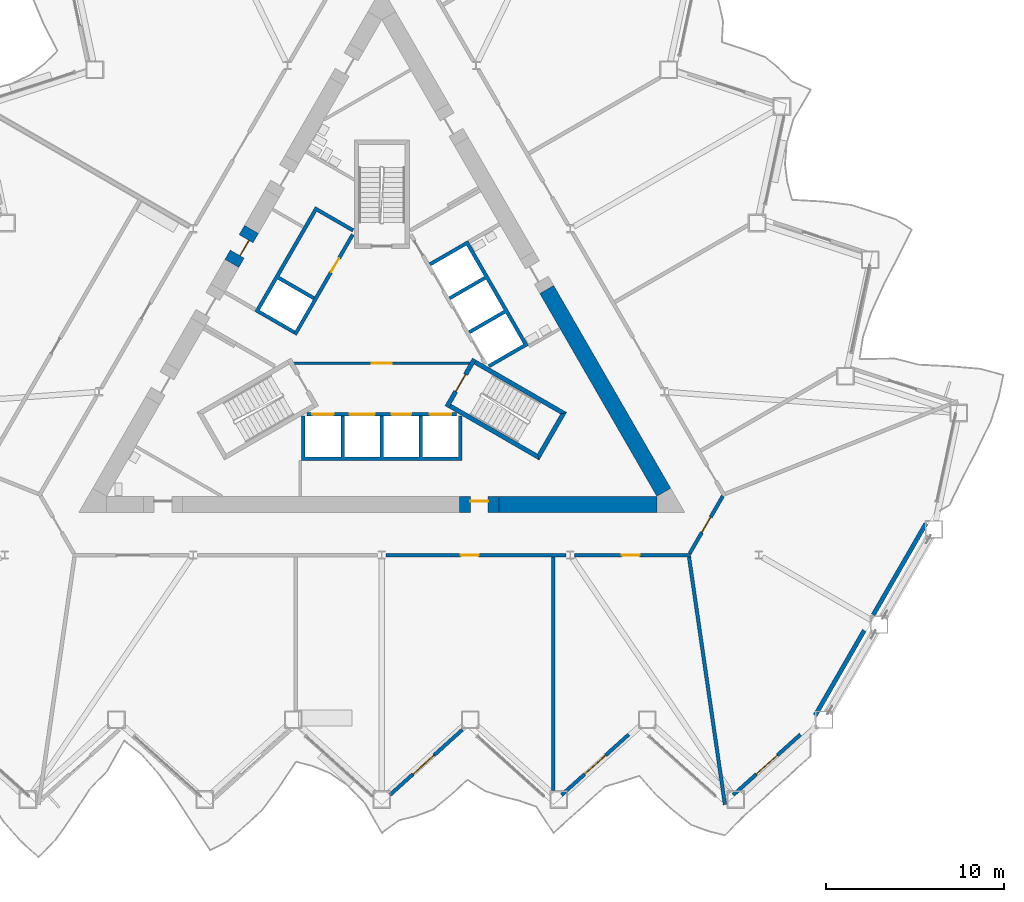
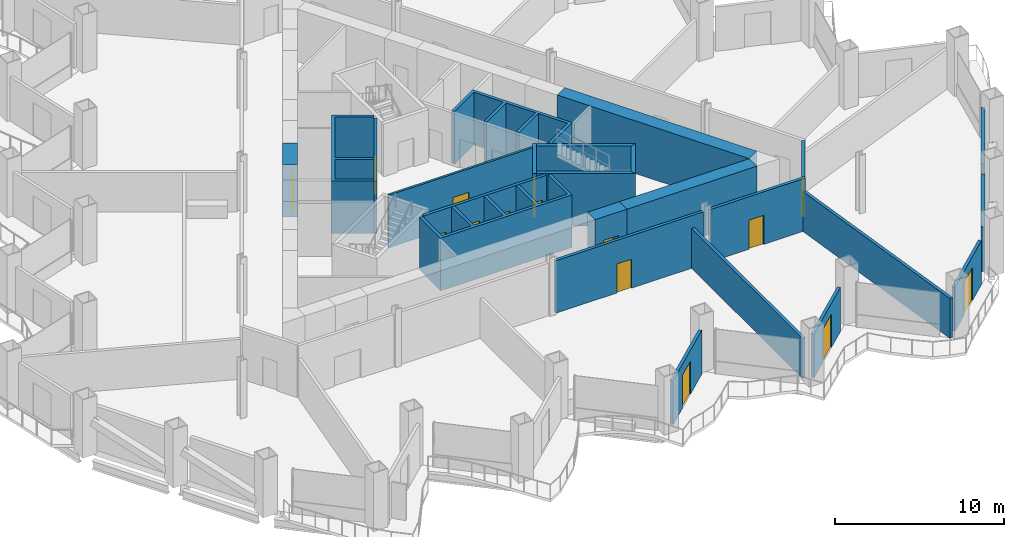
# One storey, part 10 of 20: 24 walls, 15 doors, 15 openings.
"""IFC4 building model written with IfcOpenShell, lengths in metres."""

from ifc_helpers import new_model, si_unit, direction, frame, frame_2d, origin, place, context, subcontext, project, spatial, polyline, rectangle, outline, extrude, material, layer, layer_set, type_object, element, fill, save


model = new_model("IFC4")

# Units and contexts
model_context = context("Model", 3, precision=1e-05, world=origin(), true_north=direction((0.0, 1.0)))
body_context = subcontext(model_context, "Body", "Model", "MODEL_VIEW")
ifc_project = project(units=[si_unit("LENGTHUNIT", "METRE"), si_unit("AREAUNIT", "SQUARE_METRE"), si_unit("VOLUMEUNIT", "CUBIC_METRE"), si_unit("PLANEANGLEUNIT", "RADIAN"), si_unit("MASSUNIT", "GRAM", prefix="KILO")], contexts=[model_context])

# Site, building, storey
site_placement = place(None, origin())
site = spatial("IfcSite", under=ifc_project, at=site_placement, CompositionType="ELEMENT")
building_placement = place(site_placement, origin())
building = spatial("IfcBuilding", under=site, at=building_placement, Name="Cormorant Prow Tower", CompositionType="ELEMENT")
storey_placement = place(building_placement, frame((0.0, 0.0, 34.199951171875)))
storey = spatial("IfcBuildingStorey", under=building, at=storey_placement, Name="L06", CompositionType="ELEMENT", Elevation=34.199951171875)

# Wall, opening, door
ifc_material_1 = material(Name="Gypsum board partition")
ifc_layer_1 = layer(ifc_material_1, 0.14990234375)
ifc_layer_set_1 = layer_set([ifc_layer_1], Name="Gypsum board partition")
wall_type_1 = type_object("IfcWallType", Name="Core partition 150", PredefinedType="PARTITIONING", material=ifc_layer_set_1)
wall_1_placement = place(storey_placement, frame((-4.941162109375, -1.449951171875, 0.0), z_axis=(0.0, 0.0, 1.0), x_axis=(1.0, 0.0, 0.0)))
wall_1 = element("IfcWall", 1, at=wall_1_placement, inside=storey, type_object=wall_type_1, Name="Firefighting lobby partition", PredefinedType="PARTITIONING", context=body_context, shape_type="SweptSolid", body=[
    extrude(rectangle(XDim=9.88232421875, YDim=0.14990234375, at=frame_2d((4.941162109375, 0.0))), origin(), (0.0, 0.0, 1.0), 3.800048828125),
])
opening_1_placement = place(wall_1_placement, frame((4.39111328125, 0.0, 0.0)))
opening_1 = element("IfcOpeningElement", 2, at=opening_1_placement, cuts=wall_1, Name="Opening L06-C10", PredefinedType="OPENING", context=body_context, shape_type="SweptSolid", body=[
    extrude(rectangle(XDim=1.10009765625, YDim=2.10009765625, at=frame_2d((0.550048828125, 1.050048828125))), frame((0.0, 0.0849609375, 0.0), z_axis=(0.0, -1.0, 0.0), x_axis=(1.0, 0.0, 0.0)), (0.0, 0.0, 1.0), 0.169921875),
])
ifc_material_2 = material(Name="Painted steel", Category="steel")
door_type_1 = type_object("IfcDoorType", Name="Firefighting lobby door 1100x2100", OperationType="NOTDEFINED", PredefinedType="DOOR", material=ifc_material_2)
door_1_placement = place(opening_1_placement, origin())
door_1 = element("IfcDoor", 3, at=door_1_placement, inside=storey, type_object=door_type_1, Name="Firefighting lobby door", OperationType="SINGLE_SWING_LEFT", OverallHeight=2.10009765625, OverallWidth=1.10009765625, PredefinedType="DOOR", context=body_context, shape_type="SweptSolid", body=[
    extrude(rectangle(XDim=1.10009765625, YDim=2.10009765625, at=frame_2d((0.550048828125, 1.050048828125))), frame((0.0, 0.02490234375, 0.0), z_axis=(0.0, -1.0, 0.0), x_axis=(1.0, 0.0, 0.0)), (0.0, 0.0, 1.0), 0.050048828125),
])
fill(opening_1, door_1)

# Walls
ifc_material_3 = material(Name="Concrete 8000 psi", Category="concrete")
ifc_layer_2 = layer(ifc_material_3, 0.89990234375)
ifc_layer_set_2 = layer_set([ifc_layer_2], Name="Concrete 8000 psi")
wall_type_2 = type_object("IfcWallType", Name="Core shear wall 900", PredefinedType="SHEAR", material=ifc_layer_set_2)
wall_2_placement = place(storey_placement, frame((6.570556640625, -9.364990234375, 0.0), z_axis=(0.0, 0.0, 1.0), x_axis=(1.0, 0.0, 0.0)))
element("IfcWall", 4, at=wall_2_placement, inside=storey, type_object=wall_type_2, Name="Core wall", PredefinedType="SHEAR", context=body_context, shape_type="SweptSolid", body=[
    extrude(rectangle(XDim=8.87060546875, YDim=0.89990234375, at=frame_2d((4.435302734375, 0.0))), origin(), (0.0, 0.0, 1.0), 3.800048828125),
])
wall_3_placement = place(storey_placement, frame((15.830810546875, -8.68994140625, 0.0), z_axis=(0.0, 0.0, 1.0), x_axis=(-0.499997452939, 0.866026874326, 0.0)))
element("IfcWall", 5, at=wall_3_placement, inside=storey, type_object=wall_type_2, Name="Core wall", PredefinedType="SHEAR", context=body_context, shape_type="SweptSolid", body=[
    extrude(rectangle(XDim=13.14111328125, YDim=0.89990234375, at=frame_2d((6.570556640625, 0.0))), origin(), (0.0, 0.0, 1.0), 3.800048828125),
])

# Wall, opening, door
wall_4_placement = place(storey_placement, frame((4.37060546875, -9.364990234375, 0.0), z_axis=(0.0, 0.0, 1.0), x_axis=(1.0, 0.0, 0.0)))
wall_4 = element("IfcWall", 6, at=wall_4_placement, inside=storey, type_object=wall_type_2, Name="Core wall door panel", PredefinedType="SHEAR", context=body_context, shape_type="SweptSolid", body=[
    extrude(rectangle(XDim=2.199951171875, YDim=0.89990234375, at=frame_2d((1.10009765625, 0.0))), origin(), (0.0, 0.0, 1.0), 3.800048828125),
])
opening_2_placement = place(wall_4_placement, frame((0.60009765625, 0.0, 0.0)))
opening_2 = element("IfcOpeningElement", 7, at=opening_2_placement, cuts=wall_4, Name="Opening L06-C15", PredefinedType="OPENING", context=body_context, shape_type="SweptSolid", body=[
    extrude(rectangle(XDim=1.0, YDim=2.10009765625, at=frame_2d((0.5, 1.050048828125))), frame((0.0, 0.4599609375, 0.0), z_axis=(0.0, -1.0, 0.0), x_axis=(1.0, 0.0, 0.0)), (0.0, 0.0, 1.0), 0.919921875),
])
ifc_material_4 = material(Name="Painted steel", Category="steel")
door_type_2 = type_object("IfcDoorType", Name="Service door 1000x2100", OperationType="NOTDEFINED", PredefinedType="DOOR", material=ifc_material_4)
door_2_placement = place(opening_2_placement, origin())
door_2 = element("IfcDoor", 8, at=door_2_placement, inside=storey, type_object=door_type_2, Name="Core door, Electrical room", OperationType="SINGLE_SWING_RIGHT", OverallHeight=2.10009765625, OverallWidth=1.0, PredefinedType="DOOR", context=body_context, shape_type="SweptSolid", body=[
    extrude(rectangle(XDim=1.0, YDim=2.10009765625, at=frame_2d((0.5, 1.050048828125))), frame((0.0, 0.205078125, 0.0), z_axis=(0.0, -1.0, 0.0), x_axis=(1.0, 0.0, 0.0)), (0.0, 0.0, 1.0), 0.050048828125),
])
fill(opening_2, door_2)

wall_5_placement = place(storey_placement, frame((-7.3134765625, 6.0625, 0.0), z_axis=(0.0, 0.0, 1.0), x_axis=(-0.500077893725, -0.86598042715, 0.0)))
wall_5 = element("IfcWall", 9, at=wall_5_placement, inside=storey, type_object=wall_type_2, Name="Core wall door panel", PredefinedType="SHEAR", context=body_context, shape_type="SweptSolid", body=[
    extrude(rectangle(XDim=2.199951171875, YDim=0.89990234375, at=frame_2d((1.10009765625, 0.0))), origin(), (0.0, 0.0, 1.0), 3.800048828125),
])
opening_3_placement = place(wall_5_placement, frame((0.60009765625, 0.0, 0.0)))
opening_3 = element("IfcOpeningElement", 10, at=opening_3_placement, cuts=wall_5, Name="Opening L06-C18", PredefinedType="OPENING", context=body_context, shape_type="SweptSolid", body=[
    extrude(rectangle(XDim=1.0, YDim=2.10009765625, at=frame_2d((0.5, 1.050048828125))), frame((0.0, 0.4599609375, 0.0), z_axis=(0.0, -1.0, 0.0), x_axis=(1.0, 0.0, 0.0)), (0.0, 0.0, 1.0), 0.919921875),
])
door_3_placement = place(opening_3_placement, origin())
door_3 = element("IfcDoor", 11, at=door_3_placement, inside=storey, type_object=door_type_2, Name="Core door, Housekeeping store", OperationType="SINGLE_SWING_LEFT", OverallHeight=2.10009765625, OverallWidth=1.0, PredefinedType="DOOR", context=body_context, shape_type="SweptSolid", body=[
    extrude(rectangle(XDim=1.0, YDim=2.10009765625, at=frame_2d((0.5, 1.050048828125))), frame((0.0, 0.205078125, 0.0), z_axis=(0.0, -1.0, 0.0), x_axis=(1.0, 0.0, 0.0)), (0.0, 0.0, 1.0), 0.050048828125),
])
fill(opening_3, door_3)

ifc_material_5 = material(Name="Gypsum board corridor wall")
ifc_layer_3 = layer(ifc_material_5, 0.199951171875)
ifc_layer_set_3 = layer_set([ifc_layer_3], Name="Gypsum board corridor wall")
wall_type_3 = type_object("IfcWallType", Name="Corridor wall 200", PredefinedType="PARTITIONING", material=ifc_layer_set_3)
wall_6_placement = place(storey_placement, frame((0.2421875, -12.215087890625, 0.0), z_axis=(0.0, 0.0, 1.0), x_axis=(1.0, 0.0, 0.0)))
wall_6 = element("IfcWall", 12, at=wall_6_placement, inside=storey, type_object=wall_type_3, Name="Corridor wall", PredefinedType="PARTITIONING", context=body_context, shape_type="SweptSolid", body=[
    extrude(rectangle(XDim=10.093994140625, YDim=0.199951171875, at=frame_2d((5.046875, 0.0))), origin(), (0.0, 0.0, 1.0), 3.800048828125),
])
opening_4_placement = place(wall_6_placement, frame((4.193115234375, 0.0, 0.0)))
opening_4 = element("IfcOpeningElement", 13, at=opening_4_placement, cuts=wall_6, Name="Opening L06-F02", PredefinedType="OPENING", context=body_context, shape_type="SweptSolid", body=[
    extrude(rectangle(XDim=1.0, YDim=2.10009765625, at=frame_2d((0.5, 1.050048828125))), frame((0.0, 0.10986328125, 0.0), z_axis=(0.0, -1.0, 0.0), x_axis=(1.0, 0.0, 0.0)), (0.0, 0.0, 1.0), 0.219970703125),
])
ifc_material_6 = material(Name="Timber door leaf", Category="wood")
door_type_3 = type_object("IfcDoorType", Name="Office door 1000x2100", OperationType="NOTDEFINED", PredefinedType="DOOR", material=ifc_material_6)
door_4_placement = place(opening_4_placement, origin())
door_4 = element("IfcDoor", 14, at=door_4_placement, inside=storey, type_object=door_type_3, Name="Tenant reception door", OperationType="SINGLE_SWING_RIGHT", OverallHeight=2.10009765625, OverallWidth=1.0, PredefinedType="DOOR", context=body_context, shape_type="SweptSolid", body=[
    extrude(rectangle(XDim=1.0, YDim=2.10009765625, at=frame_2d((0.5, 1.050048828125))), frame((0.0, 0.02490234375, 0.0), z_axis=(0.0, -1.0, 0.0), x_axis=(1.0, 0.0, 0.0)), (0.0, 0.0, 1.0), 0.050048828125),
])
fill(opening_4, door_4)

wall_7_placement = place(storey_placement, frame((10.82080078125, -12.215087890625, 0.0), z_axis=(0.0, 0.0, 1.0), x_axis=(1.0, 0.0, 0.0)))
wall_7 = element("IfcWall", 15, at=wall_7_placement, inside=storey, type_object=wall_type_3, Name="Corridor wall", PredefinedType="PARTITIONING", context=body_context, shape_type="SweptSolid", body=[
    extrude(rectangle(XDim=6.510009765625, YDim=0.199951171875, at=frame_2d((3.2548828125, 0.0))), origin(), (0.0, 0.0, 1.0), 3.800048828125),
])
opening_5_placement = place(wall_7_placement, frame((2.65478515625, 0.0, 0.0)))
opening_5 = element("IfcOpeningElement", 16, at=opening_5_placement, cuts=wall_7, Name="Opening L06-F03", PredefinedType="OPENING", context=body_context, shape_type="SweptSolid", body=[
    extrude(rectangle(XDim=1.0, YDim=2.10009765625, at=frame_2d((0.5, 1.050048828125))), frame((0.0, 0.10986328125, 0.0), z_axis=(0.0, -1.0, 0.0), x_axis=(1.0, 0.0, 0.0)), (0.0, 0.0, 1.0), 0.219970703125),
])
door_5_placement = place(opening_5_placement, origin())
door_5 = element("IfcDoor", 17, at=door_5_placement, inside=storey, type_object=door_type_3, Name="Tenant suite door", OperationType="SINGLE_SWING_RIGHT", OverallHeight=2.10009765625, OverallWidth=1.0, PredefinedType="DOOR", context=body_context, shape_type="SweptSolid", body=[
    extrude(rectangle(XDim=1.0, YDim=2.10009765625, at=frame_2d((0.5, 1.050048828125))), frame((0.0, 0.02490234375, 0.0), z_axis=(0.0, -1.0, 0.0), x_axis=(1.0, 0.0, 0.0)), (0.0, 0.0, 1.0), 0.050048828125),
])
fill(opening_5, door_5)

wall_8_placement = place(storey_placement, frame((17.281005859375, -12.12841796875, 0.0), z_axis=(0.0, 0.0, 1.0), x_axis=(0.499958791762, 0.866049194065, 0.0)))
wall_8 = element("IfcWall", 18, at=wall_8_placement, inside=storey, type_object=wall_type_3, Name="Corridor wall", PredefinedType="PARTITIONING", context=body_context, shape_type="SweptSolid", body=[
    extrude(rectangle(XDim=3.725830078125, YDim=0.199951171875, at=frame_2d((1.86279296875, 0.0))), origin(), (0.0, 0.0, 1.0), 3.800048828125),
])
opening_6_placement = place(wall_8_placement, frame((1.363037109375, 0.0, 0.0)))
opening_6 = element("IfcOpeningElement", 19, at=opening_6_placement, cuts=wall_8, Name="Opening L06-F04", PredefinedType="OPENING", context=body_context, shape_type="SweptSolid", body=[
    extrude(rectangle(XDim=1.0, YDim=2.10009765625, at=frame_2d((0.5, 1.050048828125))), frame((0.0, 0.10986328125, 0.0), z_axis=(0.0, -1.0, 0.0), x_axis=(1.0, 0.0, 0.0)), (0.0, 0.0, 1.0), 0.219970703125),
])
door_6_placement = place(opening_6_placement, origin())
door_6 = element("IfcDoor", 20, at=door_6_placement, inside=storey, type_object=door_type_3, Name="Tenant suite door", OperationType="SINGLE_SWING_LEFT", OverallHeight=2.10009765625, OverallWidth=1.0, PredefinedType="DOOR", context=body_context, shape_type="SweptSolid", body=[
    extrude(rectangle(XDim=1.0, YDim=2.10009765625, at=frame_2d((0.5, 1.050048828125))), frame((0.0, 0.02490234375, 0.0), z_axis=(0.0, -1.0, 0.0), x_axis=(1.0, 0.0, 0.0)), (0.0, 0.0, 1.0), 0.050048828125),
])
fill(opening_6, door_6)

# Walls
ifc_material_7 = material(Name="Gypsum board demising wall")
ifc_layer_4 = layer(ifc_material_7, 0.199951171875)
ifc_layer_set_4 = layer_set([ifc_layer_4], Name="Gypsum board demising wall")
wall_type_4 = type_object("IfcWallType", Name="Demising wall 200", PredefinedType="PARTITIONING", material=ifc_layer_set_4)
wall_9_placement = place(storey_placement, frame((17.245361328125, -12.31396484375, 0.0), z_axis=(0.0, 0.0, 1.0), x_axis=(0.143525263071, -0.989646653539, 0.0)))
element("IfcWall", 21, at=wall_9_placement, inside=storey, type_object=wall_type_4, Name="Demising wall", PredefinedType="PARTITIONING", context=body_context, shape_type="SweptSolid", body=[
    extrude(rectangle(XDim=14.050537109375, YDim=0.199951171875, at=frame_2d((7.025390625, 0.0))), origin(), (0.0, 0.0, 1.0), 2.88525390625),
])
wall_10_placement = place(storey_placement, frame((9.635009765625, -25.42138671875, 0.0), z_axis=(0.0, 0.0, 1.0), x_axis=(0.0, 1.0, 0.0)))
element("IfcWall", 22, at=wall_10_placement, inside=storey, type_object=wall_type_4, Name="Demising wall", PredefinedType="PARTITIONING", context=body_context, shape_type="SweptSolid", body=[
    extrude(rectangle(XDim=13.1064453125, YDim=0.199951171875, at=frame_2d((6.55322265625, 0.0))), origin(), (0.0, 0.0, 1.0), 2.88525390625),
])

# Wall, openings, doors
ifc_material_8 = material(Name="Concrete 5000 psi", Category="concrete")
ifc_layer_5 = layer(ifc_material_8, 0.199951171875)
ifc_layer_set_5 = layer_set([ifc_layer_5], Name="Concrete 5000 psi")
wall_type_5 = type_object("IfcWallType", Name="Lift lobby wall 200", PredefinedType="SOLIDWALL", material=ifc_layer_set_5)
wall_11_placement = place(storey_placement, frame((-4.1865234375, -4.300048828125, 0.0), z_axis=(0.0, 0.0, 1.0), x_axis=(1.0, 0.0, 0.0)))
wall_11 = element("IfcWall", 23, at=wall_11_placement, inside=storey, type_object=wall_type_5, Name="Lift lobby wall, S block", PredefinedType="SOLIDWALL", context=body_context, shape_type="SweptSolid", body=[
    extrude(rectangle(XDim=8.373046875, YDim=0.199951171875, at=frame_2d((4.1865234375, 0.0))), origin(), (0.0, 0.0, 1.0), 3.800048828125),
])
opening_7_placement = place(wall_11_placement, frame((0.28662109375, 0.0, 0.0)))
opening_7 = element("IfcOpeningElement", 24, at=opening_7_placement, cuts=wall_11, Name="Opening L06-C01", PredefinedType="OPENING", context=body_context, shape_type="SweptSolid", body=[
    extrude(rectangle(XDim=1.199951171875, YDim=2.10009765625, at=frame_2d((0.60009765625, 1.050048828125))), frame((0.0, 0.10986328125, 0.0), z_axis=(0.0, -1.0, 0.0), x_axis=(1.0, 0.0, 0.0)), (0.0, 0.0, 1.0), 0.219970703125),
])
opening_8_placement = place(wall_11_placement, frame((2.38671875, 0.0, 0.0)))
opening_8 = element("IfcOpeningElement", 25, at=opening_8_placement, cuts=wall_11, Name="Opening L06-C02", PredefinedType="OPENING", context=body_context, shape_type="SweptSolid", body=[
    extrude(rectangle(XDim=1.39990234375, YDim=2.10009765625, at=frame_2d((0.699951171875, 1.050048828125))), frame((0.0, 0.10986328125, 0.0), z_axis=(0.0, -1.0, 0.0), x_axis=(1.0, 0.0, 0.0)), (0.0, 0.0, 1.0), 0.219970703125),
])
opening_9_placement = place(wall_11_placement, frame((4.736572265625, 0.0, 0.0)))
opening_9 = element("IfcOpeningElement", 26, at=opening_9_placement, cuts=wall_11, Name="Opening L06-C03", PredefinedType="OPENING", context=body_context, shape_type="SweptSolid", body=[
    extrude(rectangle(XDim=1.10009765625, YDim=2.10009765625, at=frame_2d((0.550048828125, 1.050048828125))), frame((0.0, 0.10986328125, 0.0), z_axis=(0.0, -1.0, 0.0), x_axis=(1.0, 0.0, 0.0)), (0.0, 0.0, 1.0), 0.219970703125),
])
opening_10_placement = place(wall_11_placement, frame((6.88671875, 0.0, 0.0)))
opening_10 = element("IfcOpeningElement", 27, at=opening_10_placement, cuts=wall_11, Name="Opening L06-C04", PredefinedType="OPENING", context=body_context, shape_type="SweptSolid", body=[
    extrude(rectangle(XDim=1.199951171875, YDim=2.10009765625, at=frame_2d((0.60009765625, 1.050048828125))), frame((0.0, 0.10986328125, 0.0), z_axis=(0.0, -1.0, 0.0), x_axis=(1.0, 0.0, 0.0)), (0.0, 0.0, 1.0), 0.219970703125),
])
ifc_material_9 = material(Name="Painted steel", Category="steel")
door_type_4 = type_object("IfcDoorType", Name="Firefighting lift landing door 1200x2100", OperationType="SLIDING_TO_LEFT", PredefinedType="DOOR", material=ifc_material_9)
door_7_placement = place(opening_7_placement, origin())
door_7 = element("IfcDoor", 28, at=door_7_placement, inside=storey, type_object=door_type_4, Name="Landing door FL1", OperationType="SLIDING_TO_LEFT", OverallHeight=2.10009765625, OverallWidth=1.199951171875, PredefinedType="DOOR", context=body_context, shape_type="SweptSolid", body=[
    extrude(rectangle(XDim=1.199951171875, YDim=2.10009765625, at=frame_2d((0.60009765625, 1.050048828125))), frame((0.0, 0.02490234375, 0.0), z_axis=(0.0, -1.0, 0.0), x_axis=(1.0, 0.0, 0.0)), (0.0, 0.0, 1.0), 0.050048828125),
])
fill(opening_7, door_7)
door_8_placement = place(opening_10_placement, origin())
door_8 = element("IfcDoor", 29, at=door_8_placement, inside=storey, type_object=door_type_4, Name="Landing door FL2", OperationType="SLIDING_TO_LEFT", OverallHeight=2.10009765625, OverallWidth=1.199951171875, PredefinedType="DOOR", context=body_context, shape_type="SweptSolid", body=[
    extrude(rectangle(XDim=1.199951171875, YDim=2.10009765625, at=frame_2d((0.60009765625, 1.050048828125))), frame((0.0, 0.02490234375, 0.0), z_axis=(0.0, -1.0, 0.0), x_axis=(1.0, 0.0, 0.0)), (0.0, 0.0, 1.0), 0.050048828125),
])
fill(opening_10, door_8)
ifc_material_10 = material(Name="Painted steel", Category="steel")
door_type_5 = type_object("IfcDoorType", Name="Lift landing door 1100x2100", OperationType="SLIDING_TO_LEFT", PredefinedType="DOOR", material=ifc_material_10)
door_9_placement = place(opening_9_placement, origin())
door_9 = element("IfcDoor", 30, at=door_9_placement, inside=storey, type_object=door_type_5, Name="Landing door LR1", OperationType="SLIDING_TO_LEFT", OverallHeight=2.10009765625, OverallWidth=1.10009765625, PredefinedType="DOOR", context=body_context, shape_type="SweptSolid", body=[
    extrude(rectangle(XDim=1.10009765625, YDim=2.10009765625, at=frame_2d((0.550048828125, 1.050048828125))), frame((0.0, 0.02490234375, 0.0), z_axis=(0.0, -1.0, 0.0), x_axis=(1.0, 0.0, 0.0)), (0.0, 0.0, 1.0), 0.050048828125),
])
fill(opening_9, door_9)
ifc_material_11 = material(Name="Painted steel", Category="steel")
door_type_6 = type_object("IfcDoorType", Name="Service lift landing door 1400x2100", OperationType="SLIDING_TO_LEFT", PredefinedType="DOOR", material=ifc_material_11)
door_10_placement = place(opening_8_placement, origin())
door_10 = element("IfcDoor", 31, at=door_10_placement, inside=storey, type_object=door_type_6, Name="Landing door SL1", OperationType="SLIDING_TO_LEFT", OverallHeight=2.10009765625, OverallWidth=1.39990234375, PredefinedType="DOOR", context=body_context, shape_type="SweptSolid", body=[
    extrude(rectangle(XDim=1.39990234375, YDim=2.10009765625, at=frame_2d((0.699951171875, 1.050048828125))), frame((0.0, 0.02490234375, 0.0), z_axis=(0.0, -1.0, 0.0), x_axis=(1.0, 0.0, 0.0)), (0.0, 0.0, 1.0), 0.050048828125),
])
fill(opening_8, door_10)

# Wall, opening, door
wall_12_placement = place(storey_placement, frame((-1.630615234375, 5.775634765625, 0.0), z_axis=(0.0, 0.0, 1.0), x_axis=(-0.499992876559, -0.866029516466, 0.0)))
wall_12 = element("IfcWall", 32, at=wall_12_placement, inside=storey, type_object=wall_type_5, Name="Lift lobby wall, WNW block", PredefinedType="SOLIDWALL", context=body_context, shape_type="SweptSolid", body=[
    extrude(rectangle(XDim=6.486328125, YDim=0.199951171875, at=frame_2d((3.2431640625, 0.0))), origin(), (0.0, 0.0, 1.0), 3.800048828125),
])
opening_11_placement = place(wall_12_placement, frame((1.53662109375, 0.0, 0.0)))
opening_11 = element("IfcOpeningElement", 33, at=opening_11_placement, cuts=wall_12, Name="Opening L06-C09", PredefinedType="OPENING", context=body_context, shape_type="SweptSolid", body=[
    extrude(rectangle(XDim=0.89990234375, YDim=2.10009765625, at=frame_2d((0.449951171875, 1.050048828125))), frame((0.0, 0.10986328125, 0.0), z_axis=(0.0, -1.0, 0.0), x_axis=(1.0, 0.0, 0.0)), (0.0, 0.0, 1.0), 0.219970703125),
])
ifc_material_12 = material(Name="Painted steel", Category="steel")
door_type_7 = type_object("IfcDoorType", Name="Service door 900x2100", OperationType="NOTDEFINED", PredefinedType="DOOR", material=ifc_material_12)
door_11_placement = place(opening_11_placement, origin())
door_11 = element("IfcDoor", 34, at=door_11_placement, inside=storey, type_object=door_type_7, Name="Service door, Linen store", OperationType="SINGLE_SWING_LEFT", OverallHeight=2.10009765625, OverallWidth=0.89990234375, PredefinedType="DOOR", context=body_context, shape_type="SweptSolid", body=[
    extrude(rectangle(XDim=0.89990234375, YDim=2.10009765625, at=frame_2d((0.449951171875, 1.050048828125))), frame((0.0, 0.02490234375, 0.0), z_axis=(0.0, -1.0, 0.0), x_axis=(1.0, 0.0, 0.0)), (0.0, 0.0, 1.0), 0.050048828125),
])
fill(opening_11, door_11)

# Walls
ifc_material_13 = material(Name="Concrete 8000 psi", Category="concrete")
ifc_layer_6 = layer(ifc_material_13, 0.199951171875)
ifc_layer_set_6 = layer_set([ifc_layer_6], Name="Concrete 8000 psi")
wall_type_6 = type_object("IfcWallType", Name="Lift shaft wall 200", PredefinedType="SHEAR", material=ifc_layer_set_6)
wall_13_placement = place(storey_placement, origin())
element("IfcWall", 35, at=wall_13_placement, inside=storey, type_object=wall_type_6, Name="Lift shaft walls, S block", PredefinedType="SHEAR", context=body_context, shape_type="SweptSolid", body=[
    extrude(outline(polyline([(4.5, -4.39990234375), (4.5, -6.906005859375), (-4.5, -6.906005859375), (-4.5, -4.39990234375), (-4.300048828125, -4.39990234375), (-4.300048828125, -6.699951171875), (-2.300048828125, -6.699951171875), (-2.300048828125, -4.39990234375), (-2.10009765625, -4.39990234375), (-2.10009765625, -6.699951171875), (-0.10009765625, -6.699951171875), (-0.10009765625, -4.39990234375), (0.10009765625, -4.39990234375), (0.10009765625, -6.699951171875), (2.10009765625, -6.699951171875), (2.10009765625, -4.39990234375), (2.300048828125, -4.39990234375), (2.300048828125, -6.699951171875), (4.300048828125, -6.699951171875), (4.300048828125, -4.39990234375), (4.5, -4.39990234375)])), origin(), (0.0, 0.0, 1.0), 3.800048828125),
])
wall_14_placement = place(storey_placement, origin())
element("IfcWall", 36, at=wall_14_placement, inside=storey, type_object=wall_type_6, Name="Lift shaft walls, ENE block", PredefinedType="SHEAR", context=body_context, shape_type="SweptSolid", body=[
    extrude(outline(polyline([(2.660400390625, 4.19189453125), (4.830810546875, 5.44482421875), (8.230712890625, -0.444091796875), (6.060546875, -1.697021484375), (5.96044921875, -1.52392578125), (7.952392578125, -0.373779296875), (6.952392578125, 1.358154296875), (4.96044921875, 0.2080078125), (4.860595703125, 0.38134765625), (6.852294921875, 1.53125), (5.852294921875, 3.263427734375), (3.860595703125, 2.11328125), (3.760498046875, 2.28662109375), (5.75244140625, 3.4365234375), (4.75244140625, 5.168701171875), (2.760498046875, 4.018798828125), (2.660400390625, 4.19189453125)])), origin(), (0.0, 0.0, 1.0), 3.800048828125),
])
wall_15_placement = place(storey_placement, origin())
element("IfcWall", 37, at=wall_15_placement, inside=storey, type_object=wall_type_6, Name="Lift shaft walls, WNW block", PredefinedType="SHEAR", context=body_context, shape_type="SweptSolid", body=[
    extrude(outline(polyline([(-4.96044921875, 0.2080078125), (-7.130859375, 1.461181640625), (-3.730712890625, 7.35009765625), (-1.560546875, 6.09716796875), (-1.660400390625, 5.923828125), (-3.65234375, 7.073974609375), (-5.75244140625, 3.4365234375), (-3.760498046875, 2.28662109375), (-3.860595703125, 2.11328125), (-5.852294921875, 3.263427734375), (-6.852294921875, 1.53125), (-4.860595703125, 0.38134765625), (-4.96044921875, 0.2080078125)])), origin(), (0.0, 0.0, 1.0), 3.800048828125),
])
ifc_material_14 = material(Name="Concrete 8000 psi", Category="concrete")
ifc_layer_7 = layer(ifc_material_14, 0.25)
ifc_layer_set_7 = layer_set([ifc_layer_7], Name="Concrete 8000 psi")
wall_type_7 = type_object("IfcWallType", Name="Stair wall 250", PredefinedType="SHEAR", material=ifc_layer_set_7)
wall_16_placement = place(storey_placement, origin())
element("IfcWall", 38, at=wall_16_placement, inside=storey, type_object=wall_type_7, Name="Stair ST2 enclosure wall (flank)", PredefinedType="SHEAR", context=body_context, shape_type="SweptSolid", body=[
    extrude(outline(polyline([(3.76318359375, -3.95556640625), (8.82958984375, -6.880615234375), (8.738037109375, -6.5390625), (3.88818359375, -3.739013671875), (3.76318359375, -3.95556640625)])), origin(), (0.0, 0.0, 1.0), 3.800048828125),
])
wall_17_placement = place(storey_placement, origin())
element("IfcWall", 39, at=wall_17_placement, inside=storey, type_object=wall_type_7, Name="Stair ST2 enclosure wall (end)", PredefinedType="SHEAR", context=body_context, shape_type="SweptSolid", body=[
    extrude(outline(polyline([(8.82958984375, -6.880615234375), (10.37353515625, -4.206298828125), (10.031982421875, -4.2978515625), (8.738037109375, -6.5390625), (8.82958984375, -6.880615234375)])), origin(), (0.0, 0.0, 1.0), 3.800048828125),
])
wall_18_placement = place(storey_placement, origin())
element("IfcWall", 40, at=wall_18_placement, inside=storey, type_object=wall_type_7, Name="Stair ST2 enclosure wall (flank)", PredefinedType="SHEAR", context=body_context, shape_type="SweptSolid", body=[
    extrude(outline(polyline([(10.031982421875, -4.2978515625), (10.37353515625, -4.206298828125), (5.30712890625, -1.28125), (5.18212890625, -1.497802734375), (10.031982421875, -4.2978515625)])), origin(), (0.0, 0.0, 1.0), 3.800048828125),
])

# Wall, opening, door
wall_19_placement = place(storey_placement, frame((3.655029296875, -3.89306640625, 0.0), z_axis=(0.0, 0.0, 1.0), x_axis=(0.499982516597, 0.866035497597, 0.0)))
wall_19 = element("IfcWall", 41, at=wall_19_placement, inside=storey, type_object=wall_type_7, Name="Stair ST2 door wall", PredefinedType="SHEAR", context=body_context, shape_type="SweptSolid", body=[
    extrude(rectangle(XDim=3.087890625, YDim=0.25, at=frame_2d((1.5439453125, 0.0))), origin(), (0.0, 0.0, 1.0), 3.800048828125),
])
opening_12_placement = place(wall_19_placement, frame((0.993896484375, 0.0, 0.0)))
opening_12 = element("IfcOpeningElement", 42, at=opening_12_placement, cuts=wall_19, Name="Opening L06-C12", PredefinedType="OPENING", context=body_context, shape_type="SweptSolid", body=[
    extrude(rectangle(XDim=1.10009765625, YDim=2.10009765625, at=frame_2d((0.550048828125, 1.050048828125))), frame((0.0, 0.135009765625, 0.0), z_axis=(0.0, -1.0, 0.0), x_axis=(1.0, 0.0, 0.0)), (0.0, 0.0, 1.0), 0.27001953125),
])
ifc_material_15 = material(Name="Painted steel", Category="steel")
door_type_8 = type_object("IfcDoorType", Name="Stair door 1100x2100", OperationType="NOTDEFINED", PredefinedType="DOOR", material=ifc_material_15)
door_12_placement = place(opening_12_placement, origin())
door_12 = element("IfcDoor", 43, at=door_12_placement, inside=storey, type_object=door_type_8, Name="Stair ST2 door", OperationType="SINGLE_SWING_RIGHT", OverallHeight=2.10009765625, OverallWidth=1.10009765625, PredefinedType="DOOR", context=body_context, shape_type="SweptSolid", body=[
    extrude(rectangle(XDim=1.10009765625, YDim=2.10009765625, at=frame_2d((0.550048828125, 1.050048828125))), frame((0.0, 0.02490234375, 0.0), z_axis=(0.0, -1.0, 0.0), x_axis=(1.0, 0.0, 0.0)), (0.0, 0.0, 1.0), 0.050048828125),
])
fill(opening_12, door_12)

# Walls
ifc_material_16 = material(Name="Terracotta", Category="masonry")
ifc_layer_8 = layer(ifc_material_16, 0.25)
ifc_layer_set_8 = layer_set([ifc_layer_8], Name="Terracotta")
wall_type_8 = type_object("IfcWallType", Name="Terracotta bay wall 250", PredefinedType="SOLIDWALL", material=ifc_layer_set_8)
wall_20_placement = place(storey_placement, frame((24.3310546875, -21.21728515625, 0.0), z_axis=(0.0, 0.0, 1.0), x_axis=(0.500006469283, 0.86602166871, 0.0)))
element("IfcWall", 44, at=wall_20_placement, inside=storey, type_object=wall_type_8, Name="Terracotta bay wall ESE00", PredefinedType="SOLIDWALL", context=body_context, shape_type="SweptSolid", body=[
    extrude(rectangle(XDim=5.50634765625, YDim=0.25, at=frame_2d((2.753173828125, 0.0))), origin(), (0.0, 0.0, 1.0), 3.18896484375),
])
wall_21_placement = place(storey_placement, frame((27.59326171875, -15.56689453125, 0.0), z_axis=(0.0, 0.0, 1.0), x_axis=(0.500010498135, 0.866019342599, 0.0)))
element("IfcWall", 45, at=wall_21_placement, inside=storey, type_object=wall_type_8, Name="Terracotta bay wall ESE01", PredefinedType="SOLIDWALL", context=body_context, shape_type="SweptSolid", body=[
    extrude(rectangle(XDim=5.893798828125, YDim=0.25, at=frame_2d((2.94677734375, 0.0))), origin(), (0.0, 0.0, 1.0), 3.18896484375),
])

# Wall, opening, door
ifc_material_17 = material(Name="Terracotta", Category="masonry")
ifc_layer_9 = layer(ifc_material_17, 0.199951171875)
ifc_layer_set_9 = layer_set([ifc_layer_9], Name="Terracotta")
wall_type_9 = type_object("IfcWallType", Name="Terracotta jamb wall 200", PredefinedType="SOLIDWALL", material=ifc_layer_set_9)
wall_22_placement = place(storey_placement, frame((0.45556640625, -25.681640625, 0.0), z_axis=(0.0, 0.0, 1.0), x_axis=(0.743138867168, 0.669137223673, 0.0)))
wall_22 = element("IfcWall", 46, at=wall_22_placement, inside=storey, type_object=wall_type_9, Name="Terracotta jamb wall S05", PredefinedType="SOLIDWALL", context=body_context, shape_type="SweptSolid", body=[
    extrude(rectangle(XDim=5.47314453125, YDim=0.199951171875, at=frame_2d((2.736572265625, 0.0))), origin(), (0.0, 0.0, 1.0), 3.18896484375),
])
opening_13_placement = place(wall_22_placement, frame((1.73828125, 0.0, 0.0)))
opening_13 = element("IfcOpeningElement", 47, at=opening_13_placement, cuts=wall_22, Name="Opening ED06.03", PredefinedType="OPENING", context=body_context, shape_type="SweptSolid", body=[
    extrude(rectangle(XDim=1.60009765625, YDim=2.39990234375, at=frame_2d((0.800048828125, 1.199951171875))), frame((0.0, 0.10986328125, 0.0), z_axis=(0.0, -1.0, 0.0), x_axis=(1.0, 0.0, 0.0)), (0.0, 0.0, 1.0), 0.219970703125),
])
ifc_material_18 = material(Name="Aluminium 6063-T6", Category="aluminium")
door_type_9 = type_object("IfcDoorType", Name="Balcony door 1600x2400", OperationType="DOUBLE_DOOR_SINGLE_SWING", PredefinedType="DOOR", material=ifc_material_18)
door_13_placement = place(opening_13_placement, origin())
door_13 = element("IfcDoor", 48, at=door_13_placement, inside=storey, type_object=door_type_9, Name="Balcony door S05 ED06.03", OperationType="DOUBLE_DOOR_SINGLE_SWING", OverallHeight=2.39990234375, OverallWidth=1.60009765625, PredefinedType="DOOR", context=body_context, shape_type="SweptSolid", body=[
    extrude(rectangle(XDim=1.60009765625, YDim=2.39990234375, at=frame_2d((0.800048828125, 1.199951171875))), frame((0.0, 0.02490234375, 0.0), z_axis=(0.0, -1.0, 0.0), x_axis=(1.0, 0.0, 0.0)), (0.0, 0.0, 1.0), 0.050048828125),
])
fill(opening_13, door_13)

wall_23_placement = place(storey_placement, frame((10.090576171875, -25.681640625, 0.0), z_axis=(0.0, 0.0, 1.0), x_axis=(0.74314347906, 0.669132101704, 0.0)))
wall_23 = element("IfcWall", 49, at=wall_23_placement, inside=storey, type_object=wall_type_9, Name="Terracotta jamb wall S07", PredefinedType="SOLIDWALL", context=body_context, shape_type="SweptSolid", body=[
    extrude(rectangle(XDim=5.07666015625, YDim=0.199951171875, at=frame_2d((2.538330078125, 0.0))), origin(), (0.0, 0.0, 1.0), 3.18896484375),
])
opening_14_placement = place(wall_23_placement, frame((1.73828125, 0.0, 0.0)))
opening_14 = element("IfcOpeningElement", 50, at=opening_14_placement, cuts=wall_23, Name="Opening ED06.04", PredefinedType="OPENING", context=body_context, shape_type="SweptSolid", body=[
    extrude(rectangle(XDim=1.60009765625, YDim=2.39990234375, at=frame_2d((0.800048828125, 1.199951171875))), frame((0.0, 0.10986328125, 0.0), z_axis=(0.0, -1.0, 0.0), x_axis=(1.0, 0.0, 0.0)), (0.0, 0.0, 1.0), 0.219970703125),
])
door_14_placement = place(opening_14_placement, origin())
door_14 = element("IfcDoor", 51, at=door_14_placement, inside=storey, type_object=door_type_9, Name="Balcony door S07 ED06.04", OperationType="DOUBLE_DOOR_SINGLE_SWING", OverallHeight=2.39990234375, OverallWidth=1.60009765625, PredefinedType="DOOR", context=body_context, shape_type="SweptSolid", body=[
    extrude(rectangle(XDim=1.60009765625, YDim=2.39990234375, at=frame_2d((0.800048828125, 1.199951171875))), frame((0.0, 0.02490234375, 0.0), z_axis=(0.0, -1.0, 0.0), x_axis=(1.0, 0.0, 0.0)), (0.0, 0.0, 1.0), 0.050048828125),
])
fill(opening_14, door_14)

wall_24_placement = place(storey_placement, frame((19.725830078125, -25.681640625, 0.0), z_axis=(0.0, 0.0, 1.0), x_axis=(0.74314347906, 0.669132101704, 0.0)))
wall_24 = element("IfcWall", 52, at=wall_24_placement, inside=storey, type_object=wall_type_9, Name="Terracotta jamb wall S09", PredefinedType="SOLIDWALL", context=body_context, shape_type="SweptSolid", body=[
    extrude(rectangle(XDim=5.07666015625, YDim=0.199951171875, at=frame_2d((2.538330078125, 0.0))), origin(), (0.0, 0.0, 1.0), 3.18896484375),
])
opening_15_placement = place(wall_24_placement, frame((1.73828125, 0.0, 0.0)))
opening_15 = element("IfcOpeningElement", 53, at=opening_15_placement, cuts=wall_24, Name="Opening ED06.05", PredefinedType="OPENING", context=body_context, shape_type="SweptSolid", body=[
    extrude(rectangle(XDim=1.60009765625, YDim=2.39990234375, at=frame_2d((0.800048828125, 1.199951171875))), frame((0.0, 0.10986328125, 0.0), z_axis=(0.0, -1.0, 0.0), x_axis=(1.0, 0.0, 0.0)), (0.0, 0.0, 1.0), 0.219970703125),
])
door_15_placement = place(opening_15_placement, origin())
door_15 = element("IfcDoor", 54, at=door_15_placement, inside=storey, type_object=door_type_9, Name="Balcony door S09 ED06.05", OperationType="DOUBLE_DOOR_SINGLE_SWING", OverallHeight=2.39990234375, OverallWidth=1.60009765625, PredefinedType="DOOR", context=body_context, shape_type="SweptSolid", body=[
    extrude(rectangle(XDim=1.60009765625, YDim=2.39990234375, at=frame_2d((0.800048828125, 1.199951171875))), frame((0.0, 0.02490234375, 0.0), z_axis=(0.0, -1.0, 0.0), x_axis=(1.0, 0.0, 0.0)), (0.0, 0.0, 1.0), 0.050048828125),
])
fill(opening_15, door_15)

save(model, "model.ifc")
